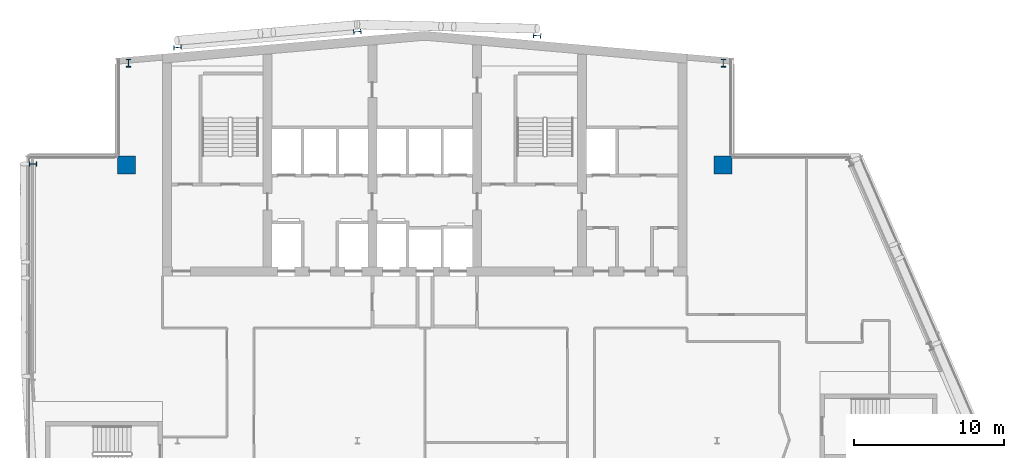
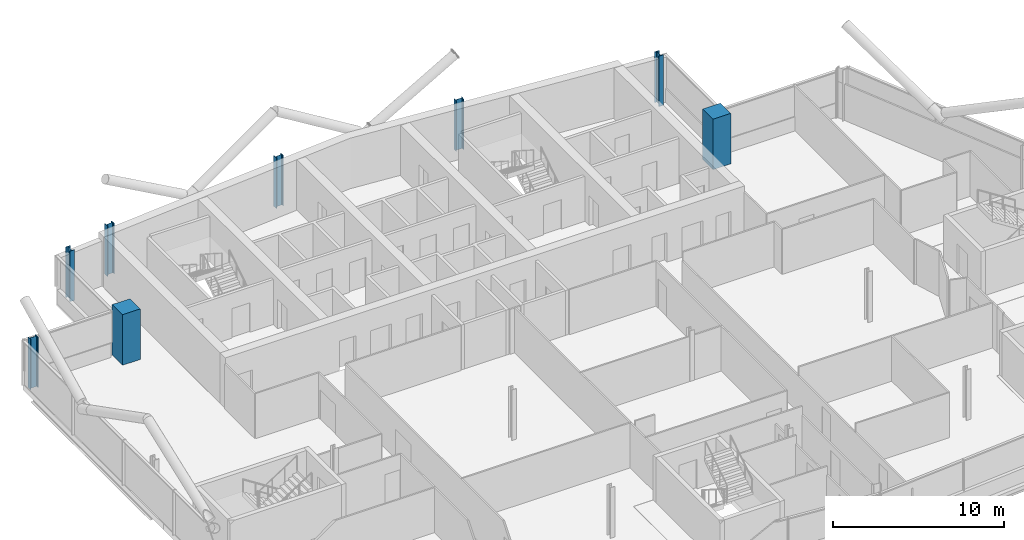
# One storey, part 3 of 28: 8 columns.
"""IFC4 building model written with IfcOpenShell, lengths in metres."""

import ifcopenshell
import ifcopenshell.guid

model = None  # the IFC model being written
_history = None  # IfcOwnerHistory: only IFC2X3 demands one
_inside = {}  # id of a spatial element -> (the spatial element, [elements in it])
_under = {}  # id of a project, library or spatial element -> (it, [spatial elements below it])
_declared = {}  # id of a project -> (the project, [libraries it declares])
_typed = {}  # id of a type object -> (the type object, [elements of that type])
_made_of = {}  # id of a material, layer set ... -> (it, [elements and type objects made of it])


def new_model(schema):
    """Start an empty IFC model of exactly this schema.

    Asked for "IFC4X3", IfcOpenShell would pick the latest addendum, in which some entities
    have other attributes; the version numbers below select the first issue.
    IFC2X3 requires an IfcOwnerHistory on every rooted entity: one is made here for all.
    """
    global model, _history
    if schema == "IFC4X3":
        model = ifcopenshell.file(schema_version=(4, 3, 0, 0))
    else:
        model = ifcopenshell.file(schema=schema)
    _inside.clear()
    _under.clear()
    _declared.clear()
    _typed.clear()
    _made_of.clear()
    _history = None
    if model.schema == "IFC2X3":
        org = make("IfcOrganization", Name="unknown")
        user = make(
            "IfcPersonAndOrganization",
            ThePerson=make("IfcPerson", FamilyName="unknown"),
            TheOrganization=org,
        )
        app = make(
            "IfcApplication",
            ApplicationDeveloper=org,
            Version="unknown",
            ApplicationFullName="unknown",
            ApplicationIdentifier="unknown",
        )
        _history = make(
            "IfcOwnerHistory",
            OwningUser=user,
            OwningApplication=app,
            ChangeAction="ADDED",
            CreationDate=0,
        )
    return model


def make(cls, **values):
    """One entity of the class cls with the attributes given. An attribute that is None is left unset."""
    return model.create_entity(
        cls, **{name: value for name, value in values.items() if value is not None}
    )


def rooted(cls, **values):
    """An entity with a GlobalId (a new one), such as an element, a storey or a relation."""
    return make(cls, GlobalId=ifcopenshell.guid.new(), OwnerHistory=_history, **values)


def si_unit(unit_type, name, prefix=None):
    """IfcSIUnit, for example si_unit("LENGTHUNIT", "METRE", prefix="MILLI")."""
    return make("IfcSIUnit", UnitType=unit_type, Prefix=prefix, Name=name)


def assignment(units):
    """IfcUnitAssignment: the units of a project."""
    return None if units is None else make("IfcUnitAssignment", Units=units)


def point(xyz):
    """IfcCartesianPoint."""
    return None if xyz is None else make("IfcCartesianPoint", Coordinates=xyz)


def direction(xyz):
    """IfcDirection."""
    return None if xyz is None else make("IfcDirection", DirectionRatios=xyz)


def frame(location, z_axis=None, x_axis=None):
    """IfcAxis2Placement3D, a coordinate frame: its origin and axes. An axis left out is left unset."""
    return make(
        "IfcAxis2Placement3D",
        Location=point(location),
        Axis=direction(z_axis),
        RefDirection=direction(x_axis),
    )


def frame_2d(location, x_axis=None):
    """IfcAxis2Placement2D, a coordinate frame in the plane: its origin and x axis."""
    return make(
        "IfcAxis2Placement2D", Location=point(location), RefDirection=direction(x_axis)
    )


def origin():
    """The frame at (0, 0, 0) with its axes left unset."""
    return frame((0.0, 0.0, 0.0))


def origin_2d():
    """The frame at (0, 0) in the plane with its x axis left unset."""
    return frame_2d((0.0, 0.0))


def place(relative_to, where):
    """IfcLocalPlacement: puts the frame where relative to a parent placement (None: the world)."""
    return make(
        "IfcLocalPlacement", PlacementRelTo=relative_to, RelativePlacement=where
    )


def context(
    kind, dimensions, precision=None, world=None, true_north=None, identifier=None
):
    """IfcGeometricRepresentationContext, for example the 3D "Model" context."""
    return make(
        "IfcGeometricRepresentationContext",
        ContextIdentifier=identifier,
        ContextType=kind,
        CoordinateSpaceDimension=dimensions,
        Precision=precision,
        WorldCoordinateSystem=world,
        TrueNorth=true_north,
    )


def subcontext(parent, identifier, kind, view, scale=None):
    """IfcGeometricRepresentationSubContext, for example "Body" below "Model"."""
    return make(
        "IfcGeometricRepresentationSubContext",
        ContextIdentifier=identifier,
        ContextType=kind,
        ParentContext=parent,
        TargetScale=scale,
        TargetView=view,
    )


def project(units=None, contexts=None):
    """IfcProject with its units and contexts."""
    return rooted(
        "IfcProject",
        Name="project",
        RepresentationContexts=contexts,
        UnitsInContext=assignment(units),
    )


def spatial(cls, under=None, at=None, **own):
    """A site, building, storey or space (cls), placed at a placement, below another one or the project."""
    s = rooted(cls, ObjectPlacement=at, **own)
    if under is not None:
        _under.setdefault(under.id(), (under, []))[1].append(s)
    return s


def profile(cls, at=None, kind="AREA", **sizes):
    """A parametric profile (cls). Its sizes go by their IFC names, for example OverallWidth=200.0."""
    return make(cls, ProfileType=kind, Position=at, **sizes)


def rectangle(**sizes):
    """IfcRectangleProfileDef."""
    return profile("IfcRectangleProfileDef", **sizes)


def i_section(**sizes):
    """IfcIShapeProfileDef."""
    return profile("IfcIShapeProfileDef", **sizes)


def extrude(swept, where, along, depth):
    """IfcExtrudedAreaSolid: the profile swept, set in the frame where, extruded along a direction by depth."""
    return make(
        "IfcExtrudedAreaSolid",
        SweptArea=swept,
        Position=where,
        ExtrudedDirection=direction(along),
        Depth=depth,
    )


def shape(context_of_items, identifier, shape_type, items):
    """IfcShapeRepresentation: the items that make up one representation, for example the "Body"."""
    return make(
        "IfcShapeRepresentation",
        ContextOfItems=context_of_items,
        RepresentationIdentifier=identifier,
        RepresentationType=shape_type,
        Items=items,
    )


def material(Name=None, Category=None):
    """IfcMaterial."""
    return make("IfcMaterial", Name=Name, Category=Category)


def material_profile(
    of_material, cross_section, Name=None, Category=None, Priority=None
):
    """IfcMaterialProfile: a cross section and its material."""
    return make(
        "IfcMaterialProfile",
        Name=Name,
        Material=of_material,
        Profile=cross_section,
        Priority=Priority,
        Category=Category,
    )


def profile_set(profiles, Name=None, composite=None):
    """IfcMaterialProfileSet."""
    return make(
        "IfcMaterialProfileSet",
        Name=Name,
        MaterialProfiles=profiles,
        CompositeProfile=composite,
    )


def made_of(thing, what):
    """Note that an element or type object is made of a material, layer set ...; save() writes the relation."""
    if what is not None:
        _made_of.setdefault(what.id(), (what, []))[1].append(thing)
    return thing


def type_object(cls, material=None, **own):
    """A type object (cls), such as IfcWallType, which elements share."""
    return made_of(rooted(cls, **own), material)


def element(
    cls,
    number,
    at=None,
    inside=None,
    cuts=None,
    type_object=None,
    material=None,
    context=None,
    identifier="Body",
    shape_type=None,
    held_by="IfcProductDefinitionShape",
    body=None,
    shapes=None,
    **own,
):
    """One element of the class cls, such as IfcWall. Its Tag is "e" and its number.

    at: its placement. inside: the storey or other place that contains it. cuts: it is an
    opening in that element (IfcRelVoidsElement). A single representation is given by context,
    identifier, shape_type and body (its items); several are given by shapes. held_by: the class
    of the entity that holds the representations. save() writes the other relations.
    """
    e = rooted(cls, Tag="e%d" % number, ObjectPlacement=at, **own)
    if body is not None:
        shapes = [shape(context, identifier, shape_type, body)]
    if shapes is not None:
        e.Representation = make(held_by, Representations=shapes)
    if inside is not None:
        _inside.setdefault(inside.id(), (inside, []))[1].append(e)
    if cuts is not None:
        rooted(
            "IfcRelVoidsElement", RelatingBuildingElement=cuts, RelatedOpeningElement=e
        )
    if type_object is not None:
        _typed.setdefault(type_object.id(), (type_object, []))[1].append(e)
    return made_of(e, material)


def aggregate(whole, parts):
    """IfcRelAggregates: a whole, such as a stair, and the parts it consists of."""
    return rooted("IfcRelAggregates", RelatingObject=whole, RelatedObjects=parts)


def save(model, path):
    """Write the relations noted so far, then the file.

    IfcRelAggregates (storeys below a building ...), IfcRelContainedInSpatialStructure (elements
    in a storey), IfcRelDefinesByType, IfcRelAssociatesMaterial and IfcRelDeclares: one each for
    every whole, place, type object, material and project.
    """
    for whole, parts in _under.values():
        aggregate(whole, parts)
    for where, things in _inside.values():
        rooted(
            "IfcRelContainedInSpatialStructure",
            RelatedElements=things,
            RelatingStructure=where,
        )
    for kind, things in _typed.values():
        rooted("IfcRelDefinesByType", RelatedObjects=things, RelatingType=kind)
    for what, things in _made_of.values():
        rooted("IfcRelAssociatesMaterial", RelatedObjects=things, RelatingMaterial=what)
    for by, libraries in _declared.values():
        rooted("IfcRelDeclares", RelatingContext=by, RelatedDefinitions=libraries)
    model.write(path)


model = new_model("IFC4")

# Units and contexts
model_context = context("Model", 3, precision=1e-05, world=origin(), true_north=direction((0.0, 1.0)))
body_context = subcontext(model_context, "Body", "Model", "MODEL_VIEW")
ifc_project = project(units=[si_unit("LENGTHUNIT", "METRE"), si_unit("AREAUNIT", "SQUARE_METRE"), si_unit("VOLUMEUNIT", "CUBIC_METRE"), si_unit("PLANEANGLEUNIT", "RADIAN"), si_unit("MASSUNIT", "GRAM", prefix="KILO")], contexts=[model_context])

# Site, building, storey
site_placement = place(None, origin())
site = spatial("IfcSite", under=ifc_project, at=site_placement, CompositionType="ELEMENT")
building_placement = place(site_placement, origin())
building = spatial("IfcBuilding", under=site, at=building_placement, Name="Wharfspan Tower", CompositionType="ELEMENT")
storey_placement = place(building_placement, frame((0.0, 0.0, 253.899902)))
storey = spatial("IfcBuildingStorey", under=building, at=storey_placement, Name="L64", CompositionType="ELEMENT", Elevation=253.899902)

# Columns
ifc_material_1 = material(Name="Steel S355J2", Category="steel")
ifc_material_profile_1 = material_profile(ifc_material_1, i_section(OverallWidth=0.300049, OverallDepth=0.5, WebThickness=0.014404, FlangeThickness=0.028076, FilletRadius=0.0271, at=origin_2d()))
ifc_profile_set_1 = profile_set([ifc_material_profile_1], Name="Steel S355J2")
column_type_1 = type_object("IfcColumnType", Name="Column HEB 500", PredefinedType="COLUMN", material=ifc_profile_set_1)
for number, where, z_axis, x_axis, name in (
    (1, (24.0, 49.234863, 0.0), (0.0, 0.0, 1.0), (-0.087156, 0.996197, 0.0), "Rear column R.1 L64"),
    (2, (36.0, 50.284668, 0.0), (0.0, 0.0, 1.0), (-0.087156, 0.996197, 0.0), "Rear column R.2 L64"),
    (3, (48.0, 50.022217, 0.0), (0.0, 0.0, 1.0), (0.087156, 0.996197, 0.0), "Rear column R.3 L64"),
):
    element("IfcColumn", number, at=place(storey_placement, frame(where, z_axis=z_axis, x_axis=x_axis)), inside=storey, type_object=column_type_1, Name=name, PredefinedType="COLUMN", context=body_context, shape_type="SweptSolid", body=[
        extrude(i_section(OverallWidth=0.300049, OverallDepth=0.5, WebThickness=0.014404, FlangeThickness=0.028076, FilletRadius=0.0271, at=origin_2d()), origin(), (0.0, 0.0, 1.0), 3.600098),
    ])
ifc_material_profile_2 = material_profile(ifc_material_1, i_section(OverallWidth=0.305908, OverallDepth=0.523926, WebThickness=0.020996, FlangeThickness=0.040039, FilletRadius=0.0271, at=origin_2d()))
ifc_profile_set_2 = profile_set([ifc_material_profile_2], Name="Steel S355J2")
column_type_2 = type_object("IfcColumnType", Name="Column HEM 500", PredefinedType="COLUMN", material=ifc_profile_set_2)
for number, where, z_axis, x_axis, name in (
    (4, (60.422119, 48.189453, 0.0), (0.0, 0.0, 1.0), (1.0, 0.0, 0.0), "Perimeter column PNRE-V.1 L64"),
    (5, (20.731201, 48.189941, 0.0), (0.0, 0.0, 1.0), (-1.0, 0.0, 0.0), "Perimeter column PNRW-V.1 L64"),
    (6, (14.356934, 41.459717, 0.0), (0.0, 0.0, 1.0), (0.0, 1.0, 0.0), "Perimeter column PNRW-H.1 L64"),
):
    element("IfcColumn", number, at=place(storey_placement, frame(where, z_axis=z_axis, x_axis=x_axis)), inside=storey, type_object=column_type_2, Name=name, PredefinedType="COLUMN", context=body_context, shape_type="SweptSolid", body=[
        extrude(i_section(OverallWidth=0.305908, OverallDepth=0.523926, WebThickness=0.020996, FlangeThickness=0.040039, FilletRadius=0.0271, at=origin_2d()), origin(), (0.0, 0.0, 1.0), 3.600098),
    ])
ifc_material_2 = material(Name="Concrete C50/60", Category="concrete")
ifc_material_profile_3 = material_profile(ifc_material_2, rectangle(XDim=1.199951, YDim=1.199951, at=origin_2d()))
ifc_profile_set_3 = profile_set([ifc_material_profile_3], Name="Concrete C50/60")
column_type_3 = type_object("IfcColumnType", Name="Mega column 1200 C50/60", PredefinedType="COLUMN", material=ifc_profile_set_3)
for number, where, z_axis, x_axis, name in (
    (7, (20.600098, 41.399902, 0.0), (0.0, 0.0, 1.0), (1.0, 0.0, 0.0), "Mega column MC2 L64"),
    (8, (60.399902, 41.399902, 0.0), (0.0, 0.0, 1.0), (1.0, 0.0, 0.0), "Mega column MC3 L64"),
):
    element("IfcColumn", number, at=place(storey_placement, frame(where, z_axis=z_axis, x_axis=x_axis)), inside=storey, type_object=column_type_3, Name=name, PredefinedType="COLUMN", context=body_context, shape_type="SweptSolid", body=[
        extrude(rectangle(XDim=1.199951, YDim=1.199951, at=origin_2d()), origin(), (0.0, 0.0, 1.0), 3.600098),
    ])

save(model, "model.ifc")
